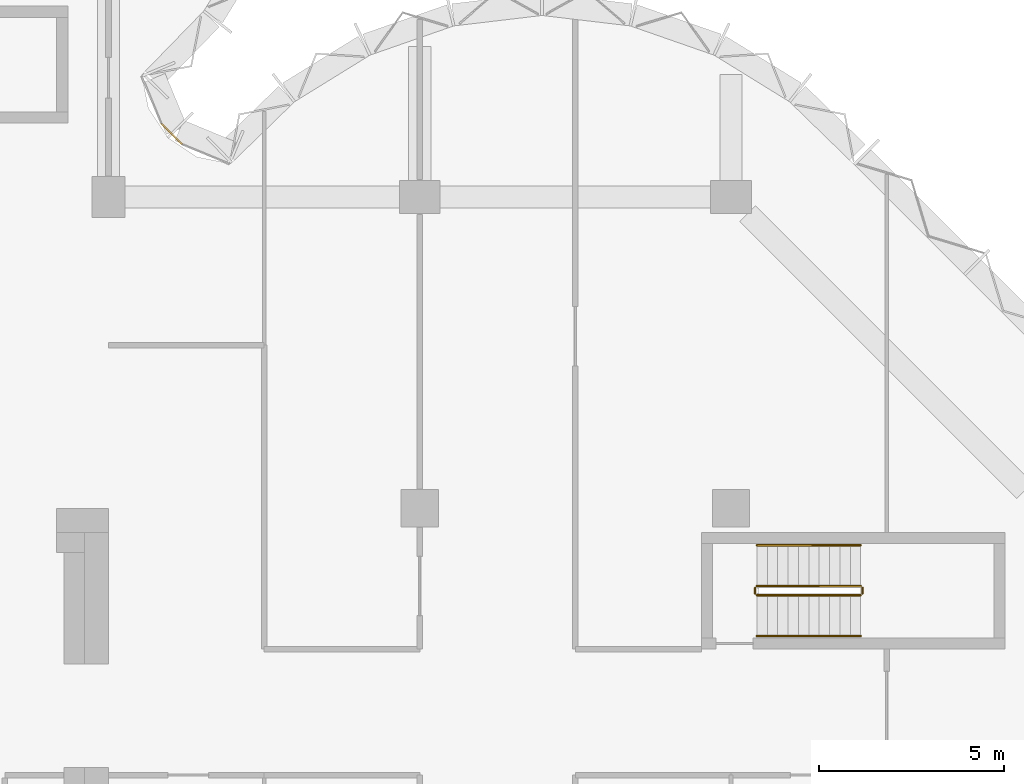
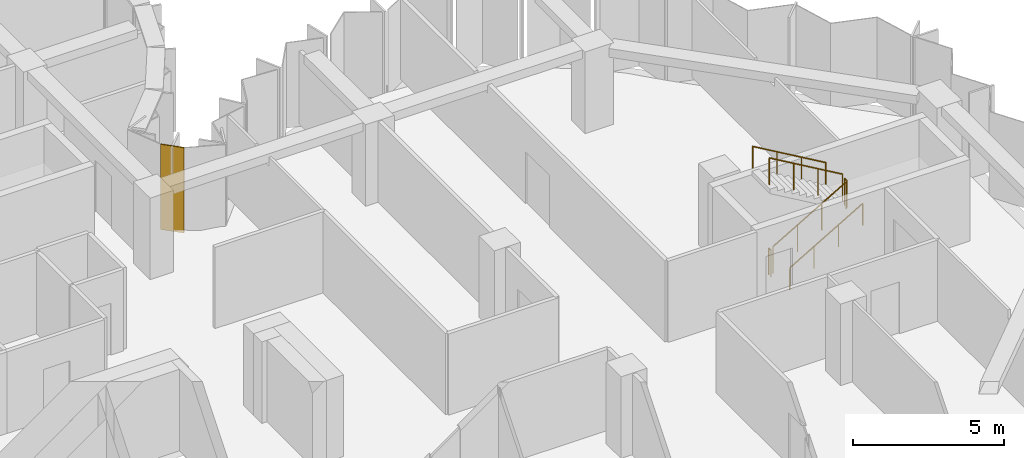
# One storey, part 10 of 10: 6 railings, 1 covering, 1 element without a shape of its own.
"""IFC4 building model written with IfcOpenShell, lengths in metres."""

from ifc_helpers import new_model, si_unit, direction, frame, origin, origin_2d, place, context, subcontext, project, spatial, polyline, circle, outline, extrude, material, layer, layer_set, type_object, element, aggregate, save


model = new_model("IFC4")

# Units and contexts
model_context = context("Model", 3, precision=1e-05, world=origin(), true_north=direction((0.0, 1.0)))
body_context = subcontext(model_context, "Body", "Model", "MODEL_VIEW")
ifc_project = project(units=[si_unit("LENGTHUNIT", "METRE"), si_unit("AREAUNIT", "SQUARE_METRE"), si_unit("VOLUMEUNIT", "CUBIC_METRE"), si_unit("PLANEANGLEUNIT", "RADIAN"), si_unit("MASSUNIT", "GRAM", prefix="KILO")], contexts=[model_context])

# Site, building, storey
site_placement = place(None, origin())
site = spatial("IfcSite", under=ifc_project, at=site_placement, CompositionType="ELEMENT")
building_placement = place(site_placement, origin())
building = spatial("IfcBuilding", under=site, at=building_placement, Name="Brevane Broadcast Tower", CompositionType="ELEMENT")
storey_placement = place(building_placement, frame((0.0, 0.0, 202.800048828125)))
storey = spatial("IfcBuildingStorey", under=building, at=storey_placement, Name="L51", CompositionType="ELEMENT", Elevation=202.800048828125)

# Railings
ifc_material_1 = material(Name="Steel S355", Category="steel")
railing_type_1 = type_object("IfcRailingType", Name="Exit stair guard", PredefinedType="GUARDRAIL", material=ifc_material_1)
railing_1_placement = place(storey_placement, frame((42.699951171875, 14.449951171875, 0.16357421875)))
element("IfcRailing", 1, at=railing_1_placement, inside=storey, type_object=railing_type_1, Name="L51 ST-4 stair guard 1", PredefinedType="GUARDRAIL", context=body_context, shape_type="SweptSolid", body=[
    extrude(circle(Radius=0.02392578125, at=origin_2d()), frame((0.0, 0.0, 1.076171875), z_axis=(0.863360870873, 0.0, 0.504586966384), x_axis=(0.0, 1.0, 0.0)), (0.0, 0.0, 1.0), 3.2431640625),
    extrude(circle(Radius=0.02099609375, at=origin_2d()), origin(), (0.0, 0.0, 1.0), 1.052001953125),
    extrude(circle(Radius=0.02099609375, at=origin_2d()), frame((0.933349609375, 0.0, 0.54541015625)), (0.0, 0.0, 1.0), 1.052001953125),
    extrude(circle(Radius=0.02099609375, at=origin_2d()), frame((1.86669921875, 0.0, 1.091064453125)), (0.0, 0.0, 1.0), 1.052001953125),
    extrude(circle(Radius=0.02099609375, at=origin_2d()), frame((2.800048828125, 0.0, 1.636474609375)), (0.0, 0.0, 1.0), 1.052001953125),
])
railing_2_placement = place(storey_placement, frame((45.550048828125, 14.5, 1.800048828125)))
element("IfcRailing", 2, at=railing_2_placement, inside=storey, type_object=railing_type_1, Name="L51 ST-4 stair guard 2", PredefinedType="GUARDRAIL", context=body_context, shape_type="SweptSolid", body=[
    extrude(circle(Radius=0.02392578125, at=origin_2d()), frame((0.0, 0.0, 1.076171875), z_axis=(0.0, 1.0, 0.0), x_axis=(-1.0, 0.0, 0.0)), (0.0, 0.0, 1.0), 0.14990234375),
    extrude(circle(Radius=0.02099609375, at=origin_2d()), origin(), (0.0, 0.0, 1.0), 1.052001953125),
    extrude(circle(Radius=0.02099609375, at=origin_2d()), frame((0.0, 0.14990234375, 0.0)), (0.0, 0.0, 1.0), 1.052001953125),
])
railing_3_placement = place(storey_placement, frame((45.5, 14.699951171875, 1.963623046875)))
element("IfcRailing", 3, at=railing_3_placement, inside=storey, type_object=railing_type_1, Name="L51 ST-4 stair guard 3", PredefinedType="GUARDRAIL", context=body_context, shape_type="SweptSolid", body=[
    extrude(circle(Radius=0.02392578125, at=origin_2d()), frame((0.0, 0.0, 1.076171875), z_axis=(-0.863393664356, 0.0, 0.504530851732), x_axis=(0.0, -1.0, 0.0)), (0.0, 0.0, 1.0), 3.2431640625),
    extrude(circle(Radius=0.02099609375, at=origin_2d()), origin(), (0.0, 0.0, 1.0), 1.052001953125),
    extrude(circle(Radius=0.02099609375, at=origin_2d()), frame((-0.933349609375, 0.0, 0.54541015625)), (0.0, 0.0, 1.0), 1.052001953125),
    extrude(circle(Radius=0.02099609375, at=origin_2d()), frame((-1.86669921875, 0.0, 1.0908203125)), (0.0, 0.0, 1.0), 1.052001953125),
    extrude(circle(Radius=0.02099609375, at=origin_2d()), frame((-2.800048828125, 0.0, 1.63623046875)), (0.0, 0.0, 1.0), 1.052001953125),
])
railing_4_placement = place(storey_placement, frame((42.64990234375, 14.5, 0.0)))
element("IfcRailing", 4, at=railing_4_placement, inside=storey, type_object=railing_type_1, Name="L51 ST-4 stair guard 4", PredefinedType="GUARDRAIL", context=body_context, shape_type="SweptSolid", body=[
    extrude(circle(Radius=0.02392578125, at=origin_2d()), frame((0.0, 0.0, 1.076171875), z_axis=(0.0, 1.0, 0.0), x_axis=(-1.0, 0.0, 0.0)), (0.0, 0.0, 1.0), 0.14990234375),
    extrude(circle(Radius=0.02099609375, at=origin_2d()), origin(), (0.0, 0.0, 1.0), 1.052001953125),
    extrude(circle(Radius=0.02099609375, at=origin_2d()), frame((0.0, 0.14990234375, 0.0)), (0.0, 0.0, 1.0), 1.052001953125),
])
railing_type_2 = type_object("IfcRailingType", Name="Exit stair handrail", PredefinedType="HANDRAIL", material=ifc_material_1)
railing_5_placement = place(storey_placement, frame((42.699951171875, 13.35009765625, 0.16357421875)))
element("IfcRailing", 5, at=railing_5_placement, inside=storey, type_object=railing_type_2, Name="L51 ST-4 stair handrail 1", PredefinedType="HANDRAIL", context=body_context, shape_type="SweptSolid", body=[
    extrude(circle(Radius=0.02392578125, at=origin_2d()), frame((0.0, 0.0, 0.8759765625), z_axis=(0.863360870873, 0.0, 0.504586966384), x_axis=(0.0, 1.0, 0.0)), (0.0, 0.0, 1.0), 3.2431640625),
    extrude(circle(Radius=0.02099609375, at=origin_2d()), origin(), (0.0, 0.0, 1.0), 0.851806640625),
    extrude(circle(Radius=0.02099609375, at=origin_2d()), frame((0.933349609375, 0.0, 0.54541015625)), (0.0, 0.0, 1.0), 0.851806640625),
    extrude(circle(Radius=0.02099609375, at=origin_2d()), frame((1.86669921875, 0.0, 1.091064453125)), (0.0, 0.0, 1.0), 0.851806640625),
    extrude(circle(Radius=0.02099609375, at=origin_2d()), frame((2.800048828125, 0.0, 1.636474609375)), (0.0, 0.0, 1.0), 0.851806640625),
])
railing_6_placement = place(storey_placement, frame((45.5, 15.800048828125, 1.963623046875)))
element("IfcRailing", 6, at=railing_6_placement, inside=storey, type_object=railing_type_2, Name="L51 ST-4 stair handrail 2", PredefinedType="HANDRAIL", context=body_context, shape_type="SweptSolid", body=[
    extrude(circle(Radius=0.02392578125, at=origin_2d()), frame((0.0, 0.0, 0.8759765625), z_axis=(-0.863393664356, 0.0, 0.504530851732), x_axis=(0.0, -1.0, 0.0)), (0.0, 0.0, 1.0), 3.2431640625),
    extrude(circle(Radius=0.02099609375, at=origin_2d()), origin(), (0.0, 0.0, 1.0), 0.851806640625),
    extrude(circle(Radius=0.02099609375, at=origin_2d()), frame((-0.933349609375, 0.0, 0.54541015625)), (0.0, 0.0, 1.0), 0.851806640625),
    extrude(circle(Radius=0.02099609375, at=origin_2d()), frame((-1.86669921875, 0.0, 1.0908203125)), (0.0, 0.0, 1.0), 0.851806640625),
    extrude(circle(Radius=0.02099609375, at=origin_2d()), frame((-2.800048828125, 0.0, 1.63623046875)), (0.0, 0.0, 1.0), 0.851806640625),
])

# Curtain wall, covering
ifc_material_2 = material(Name="Aluminium 6063-T6 bronze anodised", Category="aluminium")
curtain_wall_type = type_object("IfcCurtainWallType", Name="CW-1 curtain wall", PredefinedType="NOTDEFINED", material=ifc_material_2)
curtain_wall_placement = place(storey_placement, origin())
curtain_wall = element("IfcCurtainWall", 7, at=curtain_wall_placement, inside=storey, type_object=curtain_wall_type, Name="CW-1 typical tilted unit L51 inner corner", PredefinedType="NOTDEFINED")
ifc_material_3 = material(Name="Back-painted bronze glass shadow-box", Category="glass")
ifc_layer = layer(ifc_material_3, 0.0400390625)
ifc_layer_set = layer_set([ifc_layer], Name="Shadow-box panel 40")
covering_type = type_object("IfcCoveringType", Name="Shadow-box panel 40", PredefinedType="CLADDING", material=ifc_layer_set)
covering_placement = place(storey_placement, frame((0.0, 0.0, -0.150146484375)))
covering = element("IfcCovering", 8, at=covering_placement, type_object=covering_type, Name="Closure panel", PredefinedType="CLADDING", context=body_context, shape_type="SweptSolid", body=[
    extrude(outline(polyline([(27.17138671875, 26.60498046875), (27.2021484375, 26.635498046875), (26.635498046875, 27.2021484375), (26.60498046875, 27.17138671875), (27.17138671875, 26.60498046875)])), origin(), (0.0, 0.0, 1.0), 3.4501953125),
])
aggregate(curtain_wall, [covering])

save(model, "model.ifc")
